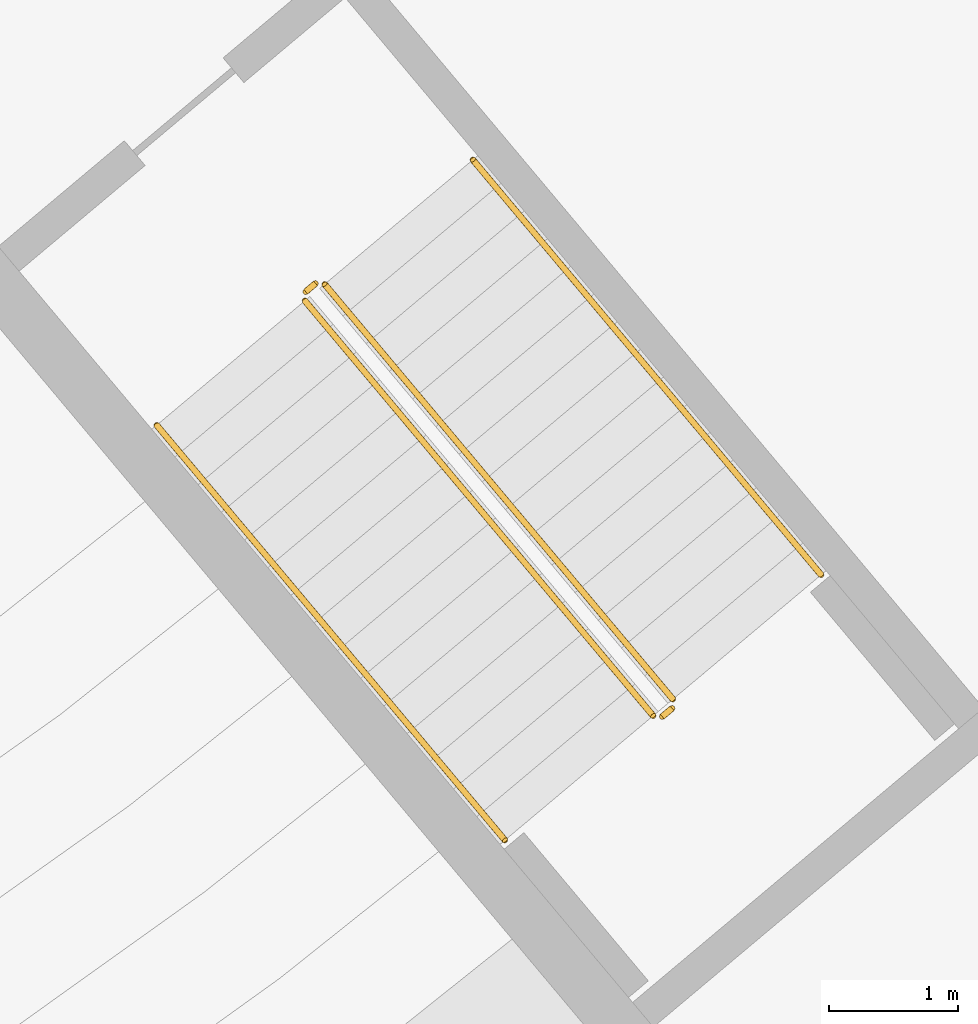
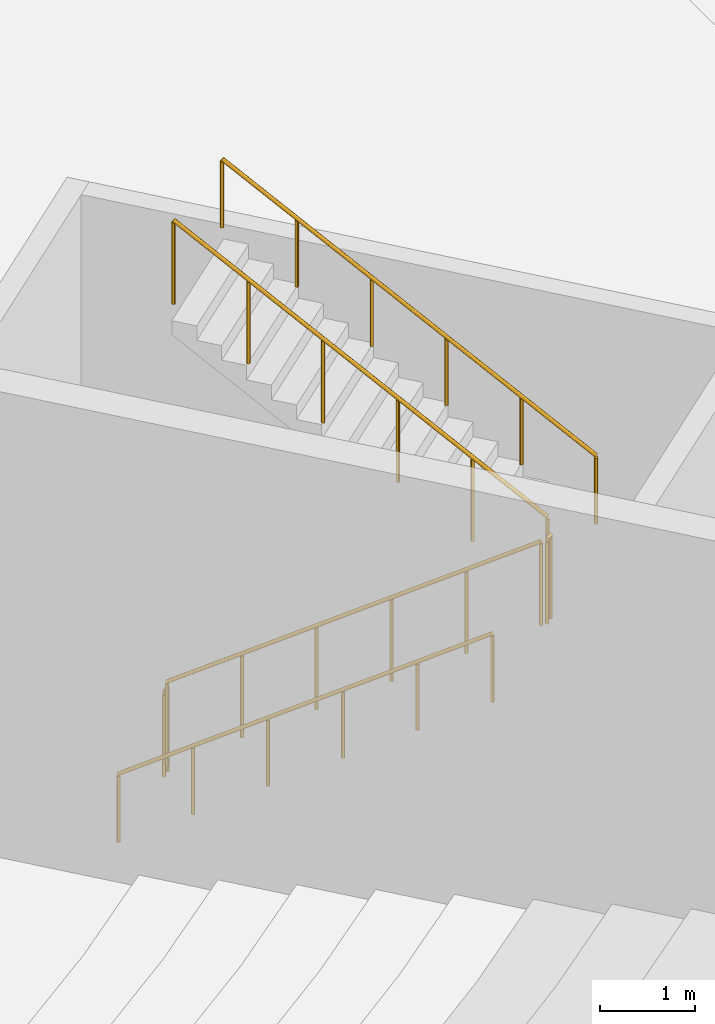
# One storey, part 183 of 210: 6 railings.
"""IFC4 building model written with IfcOpenShell, lengths in metres."""

from ifc_helpers import new_model, si_unit, direction, frame, origin, origin_2d, place, context, subcontext, project, spatial, circle, extrude, material, type_object, element, save


model = new_model("IFC4")

# Units and contexts
model_context = context("Model", 3, precision=1e-05, world=origin(), true_north=direction((0.0, 1.0)))
body_context = subcontext(model_context, "Body", "Model", "MODEL_VIEW")
ifc_project = project(units=[si_unit("LENGTHUNIT", "METRE"), si_unit("AREAUNIT", "SQUARE_METRE"), si_unit("VOLUMEUNIT", "CUBIC_METRE"), si_unit("PLANEANGLEUNIT", "RADIAN"), si_unit("MASSUNIT", "GRAM", prefix="KILO")], contexts=[model_context])

# Site, building, storey
site_placement = place(None, origin())
site = spatial("IfcSite", under=ifc_project, at=site_placement, CompositionType="ELEMENT")
building_placement = place(site_placement, origin())
building = spatial("IfcBuilding", under=site, at=building_placement, Name="Rain Tree Exposition and Congress Centre", CompositionType="ELEMENT")
storey_placement = place(building_placement, origin())
storey = spatial("IfcBuildingStorey", under=building, at=storey_placement, Name="L00", CompositionType="ELEMENT", Elevation=0.0)

# Railings
ifc_material_1 = material(Name="Steel S355J2H", Category="steel")
railing_type_1 = type_object("IfcRailingType", Name="Handrail 900 steel", PredefinedType="HANDRAIL", material=ifc_material_1)
railing_1_placement = place(storey_placement, frame((222.103515625, 43.15380859375, 0.1875)))
element("IfcRailing", 1, at=railing_1_placement, inside=storey, type_object=railing_type_1, Name="L00 ST-G2 stair handrail 1", PredefinedType="HANDRAIL", context=body_context, shape_type="SweptSolid", body=[
    extrude(circle(Radius=0.02392578125, at=origin_2d()), frame((0.0, 0.0, 0.8759765625), z_axis=(0.534087113701, -0.636528673491, 0.556401116823), x_axis=(0.766058583359, 0.642770757628, 0.0)), (0.0, 0.0, 1.0), 5.0546875),
    extrude(circle(Radius=0.02099609375, at=origin_2d()), origin(), (0.0, 0.0, 1.0), 0.851806640625),
    extrude(circle(Radius=0.02099609375, at=origin_2d()), frame((0.5400390625, -0.6435546875, 0.5625)), (0.0, 0.0, 1.0), 0.851806640625),
    extrude(circle(Radius=0.02099609375, at=origin_2d()), frame((1.079833984375, -1.287109375, 1.125)), (0.0, 0.0, 1.0), 0.851806640625),
    extrude(circle(Radius=0.02099609375, at=origin_2d()), frame((1.619873046875, -1.930419921875, 1.6875)), (0.0, 0.0, 1.0), 0.851806640625),
    extrude(circle(Radius=0.02099609375, at=origin_2d()), frame((2.15966796875, -2.573974609375, 2.25)), (0.0, 0.0, 1.0), 0.851806640625),
    extrude(circle(Radius=0.02099609375, at=origin_2d()), frame((2.69970703125, -3.217529296875, 2.8125)), (0.0, 0.0, 1.0), 0.851806640625),
])
railing_2_placement = place(storey_placement, frame((227.254638671875, 41.9931640625, 3.1875)))
element("IfcRailing", 2, at=railing_2_placement, inside=storey, type_object=railing_type_1, Name="L00 ST-G2 stair handrail 2", PredefinedType="HANDRAIL", context=body_context, shape_type="SweptSolid", body=[
    extrude(circle(Radius=0.02392578125, at=origin_2d()), frame((0.0, 0.0, 0.8759765625), z_axis=(-0.534087113701, 0.636528673491, 0.556401116823), x_axis=(-0.766058583359, -0.642770757628, 0.0)), (0.0, 0.0, 1.0), 5.0546875),
    extrude(circle(Radius=0.02099609375, at=origin_2d()), origin(), (0.0, 0.0, 1.0), 0.851806640625),
    extrude(circle(Radius=0.02099609375, at=origin_2d()), frame((-0.5400390625, 0.6435546875, 0.5625)), (0.0, 0.0, 1.0), 0.851806640625),
    extrude(circle(Radius=0.02099609375, at=origin_2d()), frame((-1.079833984375, 1.287109375, 1.125)), (0.0, 0.0, 1.0), 0.851806640625),
    extrude(circle(Radius=0.02099609375, at=origin_2d()), frame((-1.619873046875, 1.930419921875, 1.6875)), (0.0, 0.0, 1.0), 0.851806640625),
    extrude(circle(Radius=0.02099609375, at=origin_2d()), frame((-2.15966796875, 2.573974609375, 2.25)), (0.0, 0.0, 1.0), 0.851806640625),
    extrude(circle(Radius=0.02099609375, at=origin_2d()), frame((-2.69970703125, 3.217529296875, 2.8125)), (0.0, 0.0, 1.0), 0.851806640625),
])
ifc_material_2 = material(Name="Steel S355J2H", Category="steel")
railing_type_2 = type_object("IfcRailingType", Name="Steel guard 1100", PredefinedType="GUARDRAIL", material=ifc_material_2)
railing_3_placement = place(storey_placement, frame((223.252685546875, 44.117919921875, 0.1875)))
element("IfcRailing", 3, at=railing_3_placement, inside=storey, type_object=railing_type_2, Name="L00 ST-G2 stair guard 1", PredefinedType="GUARDRAIL", context=body_context, shape_type="SweptSolid", body=[
    extrude(circle(Radius=0.02392578125, at=origin_2d()), frame((0.0, 0.0, 1.076171875), z_axis=(0.534087113701, -0.636528673491, 0.556401116823), x_axis=(0.766058583359, 0.642770757628, 0.0)), (0.0, 0.0, 1.0), 5.0546875),
    extrude(circle(Radius=0.02099609375, at=origin_2d()), origin(), (0.0, 0.0, 1.0), 1.052001953125),
    extrude(circle(Radius=0.02099609375, at=origin_2d()), frame((0.5400390625, -0.6435546875, 0.5625)), (0.0, 0.0, 1.0), 1.052001953125),
    extrude(circle(Radius=0.02099609375, at=origin_2d()), frame((1.079833984375, -1.287109375, 1.125)), (0.0, 0.0, 1.0), 1.052001953125),
    extrude(circle(Radius=0.02099609375, at=origin_2d()), frame((1.619873046875, -1.930419921875, 1.6875)), (0.0, 0.0, 1.0), 1.052001953125),
    extrude(circle(Radius=0.02099609375, at=origin_2d()), frame((2.15966796875, -2.573974609375, 2.25)), (0.0, 0.0, 1.0), 1.052001953125),
    extrude(circle(Radius=0.02099609375, at=origin_2d()), frame((2.69970703125, -3.217529296875, 2.8125)), (0.0, 0.0, 1.0), 1.052001953125),
])
railing_4_placement = place(storey_placement, frame((226.022705078125, 40.894287109375, 3.0)))
element("IfcRailing", 4, at=railing_4_placement, inside=storey, type_object=railing_type_2, Name="L00 ST-G2 stair guard 2", PredefinedType="GUARDRAIL", context=body_context, shape_type="SweptSolid", body=[
    extrude(circle(Radius=0.02392578125, at=origin_2d()), frame((0.0, 0.0, 1.076171875), z_axis=(0.766617921123, 0.642103545399, 0.0), x_axis=(-0.642103545399, 0.766617921123, 0.0)), (0.0, 0.0, 1.0), 0.10009765625),
    extrude(circle(Radius=0.02099609375, at=origin_2d()), origin(), (0.0, 0.0, 1.0), 1.052001953125),
    extrude(circle(Radius=0.02099609375, at=origin_2d()), frame((0.07666015625, 0.064208984375, 0.0)), (0.0, 0.0, 1.0), 1.052001953125),
])
railing_5_placement = place(storey_placement, frame((226.10546875, 41.029052734375, 3.1875)))
element("IfcRailing", 5, at=railing_5_placement, inside=storey, type_object=railing_type_2, Name="L00 ST-G2 stair guard 3", PredefinedType="GUARDRAIL", context=body_context, shape_type="SweptSolid", body=[
    extrude(circle(Radius=0.02392578125, at=origin_2d()), frame((0.0, 0.0, 1.076171875), z_axis=(-0.534103533549, 0.636499942585, 0.556418222688), x_axis=(-0.766034566249, -0.642799380299, 0.0)), (0.0, 0.0, 1.0), 5.0546875),
    extrude(circle(Radius=0.02099609375, at=origin_2d()), origin(), (0.0, 0.0, 1.0), 1.052001953125),
    extrude(circle(Radius=0.02099609375, at=origin_2d()), frame((-0.5400390625, 0.6435546875, 0.5625)), (0.0, 0.0, 1.0), 1.052001953125),
    extrude(circle(Radius=0.02099609375, at=origin_2d()), frame((-1.079833984375, 1.286865234375, 1.125)), (0.0, 0.0, 1.0), 1.052001953125),
    extrude(circle(Radius=0.02099609375, at=origin_2d()), frame((-1.619873046875, 1.930419921875, 1.6875)), (0.0, 0.0, 1.0), 1.052001953125),
    extrude(circle(Radius=0.02099609375, at=origin_2d()), frame((-2.15966796875, 2.57373046875, 2.25)), (0.0, 0.0, 1.0), 1.052001953125),
    extrude(circle(Radius=0.02099609375, at=origin_2d()), frame((-2.69970703125, 3.21728515625, 2.8125)), (0.0, 0.0, 1.0), 1.052001953125),
])
railing_6_placement = place(storey_placement, frame((223.2587890625, 44.188232421875, 0.0)))
element("IfcRailing", 6, at=railing_6_placement, inside=storey, type_object=railing_type_2, Name="L00 ST-G2 stair guard 4", PredefinedType="GUARDRAIL", context=body_context, shape_type="SweptSolid", body=[
    extrude(circle(Radius=0.02392578125, at=origin_2d()), frame((0.0, 0.0, 1.076171875), z_axis=(0.765416662524, 0.643535028364, 0.0), x_axis=(-0.643535028364, 0.765416662524, 0.0)), (0.0, 0.0, 1.0), 0.10009765625),
    extrude(circle(Radius=0.02099609375, at=origin_2d()), origin(), (0.0, 0.0, 1.0), 1.052001953125),
    extrude(circle(Radius=0.02099609375, at=origin_2d()), frame((0.07666015625, 0.064453125, 0.0)), (0.0, 0.0, 1.0), 1.052001953125),
])

save(model, "model.ifc")
